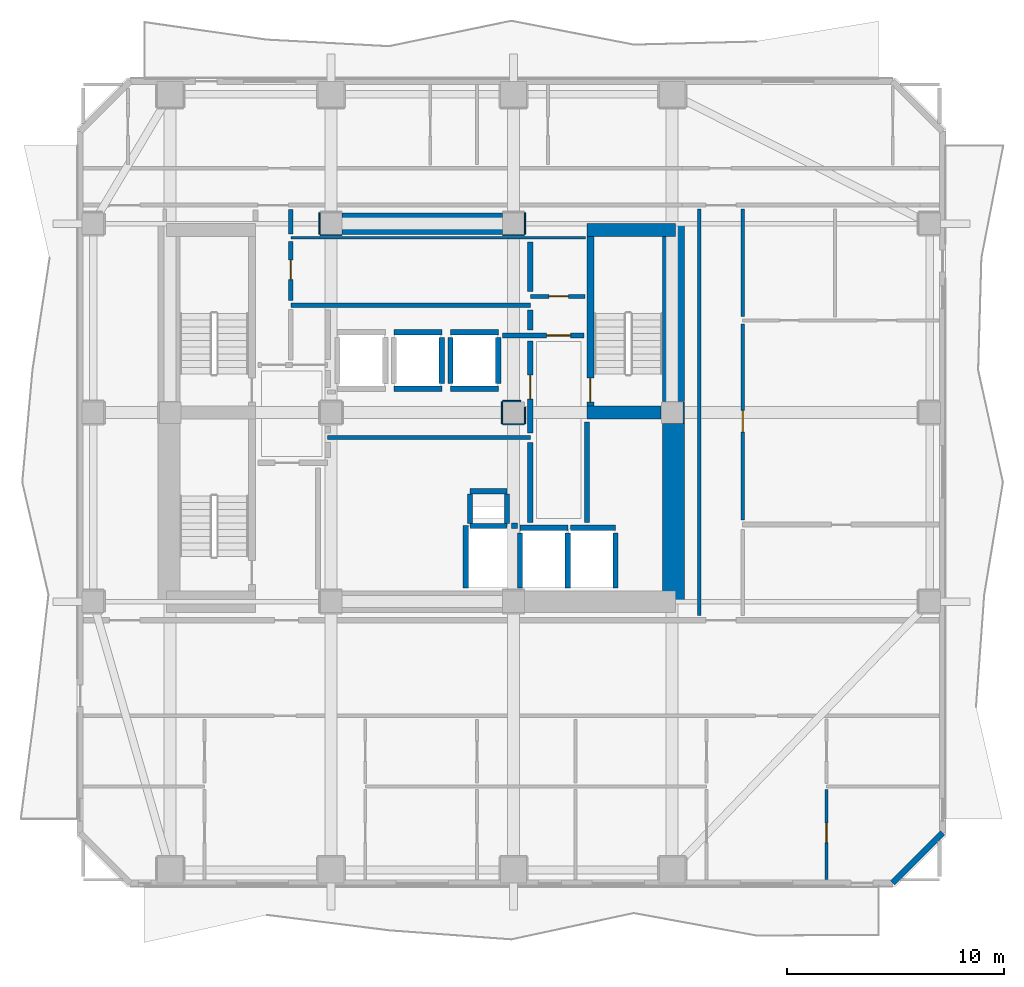
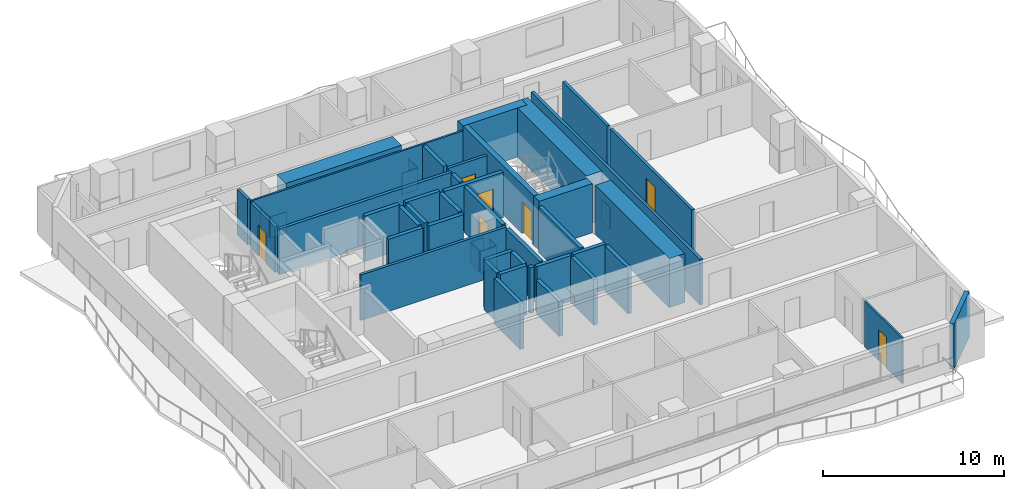
# One storey, part 4 of 9: 50 walls, 7 doors, 7 openings.
"""IFC4 building model written with IfcOpenShell, lengths in metres."""

from ifc_helpers import new_model, si_unit, direction, frame, frame_2d, origin, place, context, subcontext, project, spatial, rectangle, extrude, material, layer, layer_set, type_object, element, fill, save


model = new_model("IFC4")

# Units and contexts
model_context = context("Model", 3, precision=1e-05, world=origin(), true_north=direction((0.0, 1.0)))
body_context = subcontext(model_context, "Body", "Model", "MODEL_VIEW")
ifc_project = project(units=[si_unit("LENGTHUNIT", "METRE"), si_unit("AREAUNIT", "SQUARE_METRE"), si_unit("VOLUMEUNIT", "CUBIC_METRE"), si_unit("PLANEANGLEUNIT", "RADIAN"), si_unit("MASSUNIT", "GRAM", prefix="KILO")], contexts=[model_context])

# Site, building, storey
site_placement = place(None, origin())
site = spatial("IfcSite", under=ifc_project, at=site_placement, CompositionType="ELEMENT")
building_placement = place(site_placement, origin())
building = spatial("IfcBuilding", under=site, at=building_placement, Name="Solanera Arch Residences", CompositionType="ELEMENT")
storey_placement = place(building_placement, frame((0.0, 0.0, 135.9599609375)))
storey = spatial("IfcBuildingStorey", under=building, at=storey_placement, Name="L39", CompositionType="ELEMENT", Elevation=135.9599609375)

# Walls
ifc_material_1 = material(Name="Fire-Rated Gypsum Stud Partition", Category="gypsum")
ifc_layer_1 = layer(ifc_material_1, 0.06005859375)
ifc_layer_set_1 = layer_set([ifc_layer_1], Name="Fire-Rated Gypsum Stud Partition")
wall_type_1 = type_object("IfcWallType", Name="Column Acoustic Furring Wall 60", PredefinedType="PARTITIONING", material=ifc_layer_set_1)
for number, where, z_axis, x_axis, name in (
    (1, (20.300048828125, 38.867919921875, 0.0), (0.0, 0.0, 1.0), (1.0, 0.0, 0.0), "L39 Column Furring 3S"),
    (2, (20.26806640625, 38.89990234375, 0.0), (0.0, 0.0, 1.0), (0.0, 1.0, 0.0), "L39 Column Furring 3W"),
    (3, (28.699951171875, 38.867919921875, 0.0), (0.0, 0.0, 1.0), (1.0, 0.0, 0.0), "L39 Column Furring 4S"),
    (4, (29.73193359375, 38.89990234375, 0.0), (0.0, 0.0, 1.0), (0.0, 1.0, 0.0), "L39 Column Furring 4E"),
):
    element("IfcWall", number, at=place(storey_placement, frame(where, z_axis=z_axis, x_axis=x_axis)), inside=storey, type_object=wall_type_1, Name=name, PredefinedType="PARTITIONING", context=body_context, shape_type="SweptSolid", body=[
        extrude(rectangle(XDim=1.0, YDim=0.06005859375, at=frame_2d((0.5, 0.0))), origin(), (0.0, 0.0, 1.0), 1.449951171875),
    ])
wall_1_placement = place(storey_placement, frame((37.031982421875, 30.2099609375, 0.0), z_axis=(0.0, 0.0, 1.0), x_axis=(0.0, 1.0, 0.0)))
element("IfcWall", 5, at=wall_1_placement, inside=storey, type_object=wall_type_1, Name="L39 Column Furring 6E", PredefinedType="PARTITIONING", context=body_context, shape_type="SweptSolid", body=[
    extrude(rectangle(XDim=0.97998046875, YDim=0.06005859375, at=frame_2d((0.489990234375, 0.0))), origin(), (0.0, 0.0, 1.0), 1.449951171875),
])
wall_2_placement = place(storey_placement, frame((28.699951171875, 30.16796875, 0.0), z_axis=(0.0, 0.0, 1.0), x_axis=(1.0, 0.0, 0.0)))
element("IfcWall", 6, at=wall_2_placement, inside=storey, type_object=wall_type_1, Name="L39 Column Furring 8S", PredefinedType="PARTITIONING", context=body_context, shape_type="SweptSolid", body=[
    extrude(rectangle(XDim=1.0, YDim=0.06005859375, at=frame_2d((0.5, 0.0))), origin(), (0.0, 0.0, 1.0), 1.449951171875),
])
wall_3_placement = place(storey_placement, frame((28.699951171875, 31.23193359375, 0.0), z_axis=(0.0, 0.0, 1.0), x_axis=(1.0, 0.0, 0.0)))
element("IfcWall", 7, at=wall_3_placement, inside=storey, type_object=wall_type_1, Name="L39 Column Furring 8N", PredefinedType="PARTITIONING", context=body_context, shape_type="SweptSolid", body=[
    extrude(rectangle(XDim=0.8349609375, YDim=0.06005859375, at=frame_2d((0.41748046875, 0.0))), origin(), (0.0, 0.0, 1.0), 1.449951171875),
])
wall_4_placement = place(storey_placement, frame((28.66796875, 30.199951171875, 0.0), z_axis=(0.0, 0.0, 1.0), x_axis=(0.0, 1.0, 0.0)))
element("IfcWall", 8, at=wall_4_placement, inside=storey, type_object=wall_type_1, Name="L39 Column Furring 8W", PredefinedType="PARTITIONING", context=body_context, shape_type="SweptSolid", body=[
    extrude(rectangle(XDim=1.0, YDim=0.06005859375, at=frame_2d((0.5, 0.0))), origin(), (0.0, 0.0, 1.0), 1.449951171875),
])
wall_5_placement = place(storey_placement, frame((29.73193359375, 30.199951171875, 0.0), z_axis=(0.0, 0.0, 1.0), x_axis=(0.0, 1.0, 0.0)))
element("IfcWall", 9, at=wall_5_placement, inside=storey, type_object=wall_type_1, Name="L39 Column Furring 8E", PredefinedType="PARTITIONING", context=body_context, shape_type="SweptSolid", body=[
    extrude(rectangle(XDim=0.7470703125, YDim=0.06005859375, at=frame_2d((0.37353515625, 0.0))), origin(), (0.0, 0.0, 1.0), 1.449951171875),
])
ifc_material_2 = material(Name="Concrete C55/67 (f'c = 60 MPa)", Category="concrete")
ifc_layer_2 = layer(ifc_material_2, 1.0)
ifc_layer_set_2 = layer_set([ifc_layer_2], Name="Concrete C55/67 (f'c = 60 MPa)")
wall_type_2 = type_object("IfcWallType", Name="Core Shear Wall CW-1000", PredefinedType="SHEAR", material=ifc_layer_set_2)
wall_6_placement = place(storey_placement, frame((36.56005859375, 22.0, 0.0), z_axis=(0.0, 0.0, 1.0), x_axis=(0.0, 1.0, 0.0)))
element("IfcWall", 10, at=wall_6_placement, inside=storey, type_object=wall_type_2, Name="L39 East Core South Shear Wall", PredefinedType="SHEAR", context=body_context, shape_type="SweptSolid", body=[
    extrude(rectangle(XDim=8.195068359375, YDim=1.0, at=frame_2d((4.09765625, 0.0))), origin(), (0.0, 0.0, 1.0), 3.320068359375),
])
wall_7_placement = place(storey_placement, frame((36.56005859375, 31.205078125, 0.0), z_axis=(0.0, 0.0, 1.0), x_axis=(0.0, 1.0, 0.0)))
element("IfcWall", 11, at=wall_7_placement, inside=storey, type_object=wall_type_2, Name="L39 East Core North Shear Wall", PredefinedType="SHEAR", context=body_context, shape_type="SweptSolid", body=[
    extrude(rectangle(XDim=8.19482421875, YDim=1.0, at=frame_2d((4.097412109375, 0.0))), origin(), (0.0, 0.0, 1.0), 3.320068359375),
])
wall_8_placement = place(storey_placement, frame((21.304931640625, 39.39990234375, 0.0), z_axis=(0.0, 0.0, 1.0), x_axis=(1.0, 0.0, 0.0)))
element("IfcWall", 12, at=wall_8_placement, inside=storey, type_object=wall_type_2, Name="L39 Central North Core Shear Wall", PredefinedType="SHEAR", context=body_context, shape_type="SweptSolid", body=[
    extrude(rectangle(XDim=7.39013671875, YDim=1.0, at=frame_2d((3.695068359375, 0.0))), origin(), (0.0, 0.0, 1.0), 3.320068359375),
])

# Wall, opening, door
ifc_material_3 = material(Name="Concrete C40/50 (f'c = 45 MPa)", Category="concrete")
ifc_layer_3 = layer(ifc_material_3, 0.320068359375)
ifc_layer_set_3 = layer_set([ifc_layer_3], Name="Concrete C40/50 (f'c = 45 MPa)")
wall_type_3 = type_object("IfcWallType", Name="Core Shear Wall CW-320", PredefinedType="SHEAR", material=ifc_layer_set_3)
wall_9_placement = place(storey_placement, frame((32.739990234375, 31.0, 0.0), z_axis=(0.0, 0.0, 1.0), x_axis=(0.0, 1.0, 0.0)))
wall_9 = element("IfcWall", 13, at=wall_9_placement, inside=storey, type_object=wall_type_3, Name="L39 Stair ST-T2 West Shear Wall", PredefinedType="SHEAR", context=body_context, shape_type="SweptSolid", body=[
    extrude(rectangle(XDim=7.800048828125, YDim=0.320068359375, at=frame_2d((3.89990234375, 0.0))), origin(), (0.0, 0.0, 1.0), 3.320068359375),
])
opening_1_placement = place(wall_9_placement, frame((0.18994140625, 0.0, 0.0)))
opening_1 = element("IfcOpeningElement", 14, at=opening_1_placement, cuts=wall_9, Name="Opening DF-01", PredefinedType="OPENING", context=body_context, shape_type="SweptSolid", body=[
    extrude(rectangle(XDim=1.10009765625, YDim=2.14990234375, at=frame_2d((0.550048828125, 1.074951171875))), frame((0.0, 0.169921875, 0.0), z_axis=(0.0, -1.0, 0.0), x_axis=(1.0, 0.0, 0.0)), (0.0, 0.0, 1.0), 0.3401),
])
ifc_material_4 = material(Name="Fire-Rated Architectural Hardwood", Category="wood")
door_type_1 = type_object("IfcDoorType", Name="Stair Exit Fire Door DF-01", OperationType="NOTDEFINED", PredefinedType="DOOR", material=ifc_material_4)
door_1_placement = place(opening_1_placement, origin())
door_1 = element("IfcDoor", 15, at=door_1_placement, inside=storey, type_object=door_type_1, Name="DR-L39-STAIR-ST-T2", OperationType="SINGLE_SWING_LEFT", OverallHeight=2.14990234375, OverallWidth=1.10009765625, PredefinedType="DOOR", context=body_context, shape_type="SweptSolid", body=[
    extrude(rectangle(XDim=1.10009765625, YDim=2.14990234375, at=frame_2d((0.550048828125, 1.074951171875))), frame((0.0, 0.02490234375, 0.0), z_axis=(0.0, -1.0, 0.0), x_axis=(1.0, 0.0, 0.0)), (0.0, 0.0, 1.0), 0.050048828125),
])
fill(opening_1, door_1)

# Walls
ifc_material_5 = material(Name="Concrete C40/50 (f'c = 45 MPa)", Category="concrete")
ifc_layer_4 = layer(ifc_material_5, 0.60009765625)
ifc_layer_set_4 = layer_set([ifc_layer_4], Name="Concrete C40/50 (f'c = 45 MPa)")
wall_type_4 = type_object("IfcWallType", Name="Core Shear Wall CW-600", PredefinedType="SHEAR", material=ifc_layer_set_4)
wall_10_placement = place(storey_placement, frame((32.580078125, 39.10009765625, 0.0), z_axis=(0.0, 0.0, 1.0), x_axis=(1.0, 0.0, 0.0)))
element("IfcWall", 16, at=wall_10_placement, inside=storey, type_object=wall_type_4, Name="L39 North-East Core Shear Wall", PredefinedType="SHEAR", context=body_context, shape_type="SweptSolid", body=[
    extrude(rectangle(XDim=4.079833984375, YDim=0.60009765625, at=frame_2d((2.0400390625, 0.0))), origin(), (0.0, 0.0, 1.0), 3.320068359375),
])
wall_11_placement = place(storey_placement, frame((32.580078125, 30.699951171875, 0.0), z_axis=(0.0, 0.0, 1.0), x_axis=(1.0, 0.0, 0.0)))
element("IfcWall", 17, at=wall_11_placement, inside=storey, type_object=wall_type_4, Name="L39 East Stair Far-Landing Shear Wall", PredefinedType="SHEAR", context=body_context, shape_type="SweptSolid", body=[
    extrude(rectangle(XDim=3.4150390625, YDim=0.60009765625, at=frame_2d((1.70751953125, 0.0))), origin(), (0.0, 0.0, 1.0), 3.320068359375),
])
ifc_material_6 = material(Name="Autoclaved Aerated Concrete Blockwork", Category="masonry")
ifc_layer_5 = layer(ifc_material_6, 0.179931640625)
ifc_layer_set_5 = layer_set([ifc_layer_5], Name="Autoclaved Aerated Concrete Blockwork")
wall_type_5 = type_object("IfcWallType", Name="Corridor Fire Partition 180", PredefinedType="PARTITIONING", material=ifc_layer_set_5)
wall_12_placement = place(storey_placement, frame((20.64990234375, 29.550048828125, 0.0), z_axis=(0.0, 0.0, 1.0), x_axis=(1.0, 0.0, 0.0)))
element("IfcWall", 18, at=wall_12_placement, inside=storey, type_object=wall_type_5, Name="L39 Interior Partition H9", PredefinedType="PARTITIONING", context=body_context, shape_type="SweptSolid", body=[
    extrude(rectangle(XDim=9.3251953125, YDim=0.179931640625, at=frame_2d((4.66259765625, 0.0))), origin(), (0.0, 0.0, 1.0), 3.080078125),
])

# Wall, opening, door
wall_13_placement = place(storey_placement, frame((29.97509765625, 36.050048828125, 0.0), z_axis=(0.0, 0.0, 1.0), x_axis=(1.0, 0.0, 0.0)))
wall_13 = element("IfcWall", 19, at=wall_13_placement, inside=storey, type_object=wall_type_5, Name="L39 Interior Partition H11", PredefinedType="PARTITIONING", context=body_context, shape_type="SweptSolid", body=[
    extrude(rectangle(XDim=2.5048828125, YDim=0.179931640625, at=frame_2d((1.25244140625, 0.0))), origin(), (0.0, 0.0, 1.0), 3.080078125),
])
opening_2_placement = place(wall_13_placement, frame((0.85205078125, 0.0, 0.0)))
opening_2 = element("IfcOpeningElement", 20, at=opening_2_placement, cuts=wall_13, Name="Opening DI-02", PredefinedType="OPENING", context=body_context, shape_type="SweptSolid", body=[
    extrude(rectangle(XDim=0.89990234375, YDim=2.10009765625, at=frame_2d((0.449951171875, 1.050048828125))), frame((0.0, 0.10009765625, 0.0), z_axis=(0.0, -1.0, 0.0), x_axis=(1.0, 0.0, 0.0)), (0.0, 0.0, 1.0), 0.1999),
])
ifc_material_7 = material(Name="Fire-Rated Architectural Hardwood", Category="wood")
door_type_2 = type_object("IfcDoorType", Name="Suite Room Swing Door DI-02", OperationType="NOTDEFINED", PredefinedType="DOOR", material=ifc_material_7)
door_2_placement = place(opening_2_placement, origin())
door_2 = element("IfcDoor", 21, at=door_2_placement, inside=storey, type_object=door_type_2, Name="DR-L39-IN-015", OperationType="SINGLE_SWING_RIGHT", OverallHeight=2.10009765625, OverallWidth=0.89990234375, PredefinedType="DOOR", context=body_context, shape_type="SweptSolid", body=[
    extrude(rectangle(XDim=0.89990234375, YDim=2.10009765625, at=frame_2d((0.449951171875, 1.050048828125))), frame((0.0, 0.02490234375, 0.0), z_axis=(0.0, -1.0, 0.0), x_axis=(1.0, 0.0, 0.0)), (0.0, 0.0, 1.0), 0.050048828125),
])
fill(opening_2, door_2)

# Wall
wall_14_placement = place(storey_placement, frame((37.75, 21.367919921875, 0.0), z_axis=(0.0, 0.0, 1.0), x_axis=(0.0, 1.0, 0.0)))
element("IfcWall", 22, at=wall_14_placement, inside=storey, type_object=wall_type_5, Name="L39 Interior Partition V10", PredefinedType="PARTITIONING", context=body_context, shape_type="SweptSolid", body=[
    extrude(rectangle(XDim=18.694091796875, YDim=0.179931640625, at=frame_2d((9.34716796875, 0.0))), origin(), (0.0, 0.0, 1.0), 3.080078125),
])

# Wall, opening, door
wall_15_placement = place(storey_placement, frame((39.75, 25.76806640625, 0.0), z_axis=(0.0, 0.0, 1.0), x_axis=(0.0, 1.0, 0.0)))
wall_15 = element("IfcWall", 23, at=wall_15_placement, inside=storey, type_object=wall_type_5, Name="L39 Interior Partition V11 2", PredefinedType="PARTITIONING", context=body_context, shape_type="SweptSolid", body=[
    extrude(rectangle(XDim=9.013916015625, YDim=0.179931640625, at=frame_2d((4.5068359375, 0.0))), origin(), (0.0, 0.0, 1.0), 3.080078125),
])
opening_3_placement = place(wall_15_placement, frame((4.041015625, 0.0, 0.0)))
opening_3 = element("IfcOpeningElement", 24, at=opening_3_placement, cuts=wall_15, Name="Opening DI-01", PredefinedType="OPENING", context=body_context, shape_type="SweptSolid", body=[
    extrude(rectangle(XDim=1.0, YDim=2.14990234375, at=frame_2d((0.5, 1.074951171875))), frame((0.0, 0.10009765625, 0.0), z_axis=(0.0, -1.0, 0.0), x_axis=(1.0, 0.0, 0.0)), (0.0, 0.0, 1.0), 0.1999),
])
ifc_material_8 = material(Name="Fire-Rated Architectural Hardwood", Category="wood")
door_type_3 = type_object("IfcDoorType", Name="Unit Entrance Fire Door DI-01", OperationType="NOTDEFINED", PredefinedType="DOOR", material=ifc_material_8)
door_3_placement = place(opening_3_placement, origin())
door_3 = element("IfcDoor", 25, at=door_3_placement, inside=storey, type_object=door_type_3, Name="DR-L39-IN-035", OperationType="SINGLE_SWING_RIGHT", OverallHeight=2.14990234375, OverallWidth=1.0, PredefinedType="DOOR", context=body_context, shape_type="SweptSolid", body=[
    extrude(rectangle(XDim=1.0, YDim=2.14990234375, at=frame_2d((0.5, 1.074951171875))), frame((0.0, 0.02490234375, 0.0), z_axis=(0.0, -1.0, 0.0), x_axis=(1.0, 0.0, 0.0)), (0.0, 0.0, 1.0), 0.050048828125),
])
fill(opening_3, door_3)

# Walls
wall_16_placement = place(storey_placement, frame((39.75, 35.117919921875, 0.0), z_axis=(0.0, 0.0, 1.0), x_axis=(0.0, 1.0, 0.0)))
element("IfcWall", 26, at=wall_16_placement, inside=storey, type_object=wall_type_5, Name="L39 Interior Partition V11 3", PredefinedType="PARTITIONING", context=body_context, shape_type="SweptSolid", body=[
    extrude(rectangle(XDim=4.944091796875, YDim=0.179931640625, at=frame_2d((2.47216796875, 0.0))), origin(), (0.0, 0.0, 1.0), 3.080078125),
])
ifc_material_9 = material(Name="Precast Concrete C35/45", Category="concrete")
ifc_layer_6 = layer(ifc_material_9, 0.280029296875)
ifc_layer_set_6 = layer_set([ifc_layer_6], Name="Precast Concrete C35/45")
wall_type_6 = type_object("IfcWallType", Name="Exterior Wall Precast Masonry-Frame 280", PredefinedType="STANDARD", material=ifc_layer_set_6)
wall_17_placement = place(storey_placement, frame((48.945068359375, 11.35498046875, 0.0), z_axis=(0.0, 0.0, 1.0), x_axis=(-0.707106781187, -0.707106781187, 0.0)))
element("IfcWall", 27, at=wall_17_placement, inside=storey, type_object=wall_type_6, Name="L39 Tower Exterior Precast Masonry-Frame Wall CH5", PredefinedType="STANDARD", context=body_context, shape_type="SweptSolid", body=[
    extrude(rectangle(XDim=3.252685546875, YDim=0.280029296875, at=frame_2d((1.62646484375, 0.0))), origin(), (0.0, 0.0, 1.0), 3.080078125),
])
ifc_material_10 = material(Name="Autoclaved Aerated Concrete Blockwork", Category="masonry")
ifc_layer_7 = layer(ifc_material_10, 0.199951171875)
ifc_layer_set_7 = layer_set([ifc_layer_7], Name="Autoclaved Aerated Concrete Blockwork")
wall_type_7 = type_object("IfcWallType", Name="Party Wall Acoustic 200", PredefinedType="PARTITIONING", material=ifc_layer_set_7)
wall_18_placement = place(storey_placement, frame((18.949951171875, 35.64990234375, 0.0), z_axis=(0.0, 0.0, 1.0), x_axis=(1.0, 0.0, 0.0)))
element("IfcWall", 28, at=wall_18_placement, inside=storey, type_object=wall_type_7, Name="L39 Interior Partition H7", PredefinedType="PARTITIONING", context=body_context, shape_type="SweptSolid", body=[
    extrude(rectangle(XDim=11.025146484375, YDim=0.199951171875, at=frame_2d((5.5126953125, 0.0))), origin(), (0.0, 0.0, 1.0), 3.080078125),
])

# Wall, opening, door
wall_19_placement = place(storey_placement, frame((18.949951171875, 35.85791015625, 0.0), z_axis=(0.0, 0.0, 1.0), x_axis=(0.0, 1.0, 0.0)))
wall_19 = element("IfcWall", 29, at=wall_19_placement, inside=storey, type_object=wall_type_7, Name="L39 Interior Partition V6 2", PredefinedType="PARTITIONING", context=body_context, shape_type="SweptSolid", body=[
    extrude(rectangle(XDim=2.72412109375, YDim=0.199951171875, at=frame_2d((1.362060546875, 0.0))), origin(), (0.0, 0.0, 1.0), 3.080078125),
])
opening_4_placement = place(wall_19_placement, frame((0.967041015625, 0.0, 0.0)))
opening_4 = element("IfcOpeningElement", 30, at=opening_4_placement, cuts=wall_19, Name="Opening DI-02", PredefinedType="OPENING", context=body_context, shape_type="SweptSolid", body=[
    extrude(rectangle(XDim=0.89990234375, YDim=2.10009765625, at=frame_2d((0.449951171875, 1.050048828125))), frame((0.0, 0.110107421875, 0.0), z_axis=(0.0, -1.0, 0.0), x_axis=(1.0, 0.0, 0.0)), (0.0, 0.0, 1.0), 0.22),
])
door_4_placement = place(opening_4_placement, origin())
door_4 = element("IfcDoor", 31, at=door_4_placement, inside=storey, type_object=door_type_2, Name="DR-L39-IN-016", OperationType="SINGLE_SWING_LEFT", OverallHeight=2.10009765625, OverallWidth=0.89990234375, PredefinedType="DOOR", context=body_context, shape_type="SweptSolid", body=[
    extrude(rectangle(XDim=0.89990234375, YDim=2.10009765625, at=frame_2d((0.449951171875, 1.050048828125))), frame((0.0, 0.02490234375, 0.0), z_axis=(0.0, -1.0, 0.0), x_axis=(1.0, 0.0, 0.0)), (0.0, 0.0, 1.0), 0.050048828125),
])
fill(opening_4, door_4)

# Walls
wall_20_placement = place(storey_placement, frame((18.949951171875, 38.91796875, 0.0), z_axis=(0.0, 0.0, 1.0), x_axis=(0.0, 1.0, 0.0)))
element("IfcWall", 32, at=wall_20_placement, inside=storey, type_object=wall_type_7, Name="L39 Interior Partition V6 3", PredefinedType="PARTITIONING", context=body_context, shape_type="SweptSolid", body=[
    extrude(rectangle(XDim=1.134033203125, YDim=0.199951171875, at=frame_2d((0.56689453125, 0.0))), origin(), (0.0, 0.0, 1.0), 3.080078125),
])
ifc_material_11 = material(Name="Concrete C40/50 (f'c = 45 MPa)", Category="concrete")
ifc_layer_8 = layer(ifc_material_11, 0.239990234375)
ifc_layer_set_8 = layer_set([ifc_layer_8], Name="Concrete C40/50 (f'c = 45 MPa)")
wall_type_8 = type_object("IfcWallType", Name="Ramp Bearing Shear Wall RW-240", PredefinedType="SHEAR", material=ifc_layer_set_8)
for number, where, z_axis, x_axis, name in (
    (33, (27.199951171875, 25.47998046875, 0.0), (0.0, 0.0, 1.0), (1.0, 0.0, 0.0), "L39 Core MEP Riser South Shaft Wall"),
    (34, (27.199951171875, 27.080078125, 0.0), (0.0, 0.0, 1.0), (1.0, 0.0, 0.0), "L39 Core MEP Riser North Shaft Wall"),
):
    element("IfcWall", number, at=place(storey_placement, frame(where, z_axis=z_axis, x_axis=x_axis)), inside=storey, type_object=wall_type_8, Name=name, PredefinedType="SHEAR", context=body_context, shape_type="SweptSolid", body=[
        extrude(rectangle(XDim=1.699951171875, YDim=0.239990234375, at=frame_2d((0.85009765625, 0.0))), origin(), (0.0, 0.0, 1.0), 3.320068359375),
    ])
for number, where, z_axis, x_axis, name in (
    (35, (27.199951171875, 25.60009765625, 0.0), (0.0, 0.0, 1.0), (0.0, 1.0, 0.0), "L39 Core MEP Riser West Shaft Wall"),
    (36, (28.89990234375, 25.60009765625, 0.0), (0.0, 0.0, 1.0), (0.0, 1.0, 0.0), "L39 Core MEP Riser East Shaft Wall"),
):
    element("IfcWall", number, at=place(storey_placement, frame(where, z_axis=z_axis, x_axis=x_axis)), inside=storey, type_object=wall_type_8, Name=name, PredefinedType="SHEAR", context=body_context, shape_type="SweptSolid", body=[
        extrude(rectangle(XDim=1.35986328125, YDim=0.239990234375, at=frame_2d((0.679931640625, 0.0))), origin(), (0.0, 0.0, 1.0), 3.320068359375),
    ])
ifc_material_12 = material(Name="Autoclaved Aerated Concrete Blockwork", Category="masonry")
ifc_layer_9 = layer(ifc_material_12, 0.239990234375)
ifc_layer_set_9 = layer_set([ifc_layer_9], Name="Autoclaved Aerated Concrete Blockwork")
wall_type_9 = type_object("IfcWallType", Name="Shaft Wall Fire-Rated 240", PredefinedType="PARTITIONING", material=ifc_layer_set_9)
for number, where, z_axis, x_axis, name in (
    (37, (23.699951171875, 31.800048828125, 0.0), (0.0, 0.0, 1.0), (1.0, 0.0, 0.0), "L39 Lift PL-M2 Hoistway Wall S"),
    (38, (23.699951171875, 34.39990234375, 0.0), (0.0, 0.0, 1.0), (1.0, 0.0, 0.0), "L39 Lift PL-M2 Hoistway Wall N"),
):
    element("IfcWall", number, at=place(storey_placement, frame(where, z_axis=z_axis, x_axis=x_axis)), inside=storey, type_object=wall_type_9, Name=name, PredefinedType="PARTITIONING", context=body_context, shape_type="SweptSolid", body=[
        extrude(rectangle(XDim=2.199951171875, YDim=0.239990234375, at=frame_2d((1.10009765625, 0.0))), origin(), (0.0, 0.0, 1.0), 3.080078125),
    ])
wall_21_placement = place(storey_placement, frame((25.89990234375, 32.048095703125, 0.0), z_axis=(0.0, 0.0, 1.0), x_axis=(0.0, 1.0, 0.0)))
element("IfcWall", 39, at=wall_21_placement, inside=storey, type_object=wall_type_9, Name="L39 Lift PL-M2 Hoistway Wall E", PredefinedType="PARTITIONING", context=body_context, shape_type="SweptSolid", body=[
    extrude(rectangle(XDim=2.10400390625, YDim=0.239990234375, at=frame_2d((1.052001953125, 0.0))), origin(), (0.0, 0.0, 1.0), 3.080078125),
])
for number, where, z_axis, x_axis, name in (
    (40, (26.300048828125, 31.800048828125, 0.0), (0.0, 0.0, 1.0), (1.0, 0.0, 0.0), "L39 Lift PL-M3 Hoistway Wall S"),
    (41, (26.300048828125, 34.39990234375, 0.0), (0.0, 0.0, 1.0), (1.0, 0.0, 0.0), "L39 Lift PL-M3 Hoistway Wall N"),
):
    element("IfcWall", number, at=place(storey_placement, frame(where, z_axis=z_axis, x_axis=x_axis)), inside=storey, type_object=wall_type_9, Name=name, PredefinedType="PARTITIONING", context=body_context, shape_type="SweptSolid", body=[
        extrude(rectangle(XDim=2.199951171875, YDim=0.239990234375, at=frame_2d((1.10009765625, 0.0))), origin(), (0.0, 0.0, 1.0), 3.080078125),
    ])
for number, where, z_axis, x_axis, name in (
    (42, (26.300048828125, 32.048095703125, 0.0), (0.0, 0.0, 1.0), (0.0, 1.0, 0.0), "L39 Lift PL-M3 Hoistway Wall W"),
    (43, (28.5, 32.048095703125, 0.0), (0.0, 0.0, 1.0), (0.0, 1.0, 0.0), "L39 Lift PL-M3 Hoistway Wall E"),
):
    element("IfcWall", number, at=place(storey_placement, frame(where, z_axis=z_axis, x_axis=x_axis)), inside=storey, type_object=wall_type_9, Name=name, PredefinedType="PARTITIONING", context=body_context, shape_type="SweptSolid", body=[
        extrude(rectangle(XDim=2.10400390625, YDim=0.239990234375, at=frame_2d((1.052001953125, 0.0))), origin(), (0.0, 0.0, 1.0), 3.080078125),
    ])
wall_22_placement = place(storey_placement, frame((29.5, 25.39990234375, 0.0), z_axis=(0.0, 0.0, 1.0), x_axis=(1.0, 0.0, 0.0)))
element("IfcWall", 44, at=wall_22_placement, inside=storey, type_object=wall_type_9, Name="L39 Lift FFL-1 Hoistway Wall N", PredefinedType="PARTITIONING", context=body_context, shape_type="SweptSolid", body=[
    extrude(rectangle(XDim=2.199951171875, YDim=0.239990234375, at=frame_2d((1.10009765625, 0.0))), origin(), (0.0, 0.0, 1.0), 3.080078125),
])
wall_23_placement = place(storey_placement, frame((29.5, 22.632080078125, 0.0), z_axis=(0.0, 0.0, 1.0), x_axis=(0.0, 1.0, 0.0)))
element("IfcWall", 45, at=wall_23_placement, inside=storey, type_object=wall_type_9, Name="L39 Lift FFL-1 Hoistway Wall W", PredefinedType="PARTITIONING", context=body_context, shape_type="SweptSolid", body=[
    extrude(rectangle(XDim=2.52001953125, YDim=0.239990234375, at=frame_2d((1.260009765625, 0.0))), origin(), (0.0, 0.0, 1.0), 2.31494140625),
])
wall_24_placement = place(storey_placement, frame((31.699951171875, 22.6298828125, 0.0), z_axis=(0.0, 0.0, 1.0), x_axis=(0.0, 1.0, 0.0)))
element("IfcWall", 46, at=wall_24_placement, inside=storey, type_object=wall_type_9, Name="L39 Lift FFL-1 Hoistway Wall E", PredefinedType="PARTITIONING", context=body_context, shape_type="SweptSolid", body=[
    extrude(rectangle(XDim=2.522216796875, YDim=0.239990234375, at=frame_2d((1.26123046875, 0.0))), origin(), (0.0, 0.0, 1.0), 3.080078125),
])
wall_25_placement = place(storey_placement, frame((31.827880859375, 25.39990234375, 0.0), z_axis=(0.0, 0.0, 1.0), x_axis=(1.0, 0.0, 0.0)))
element("IfcWall", 47, at=wall_25_placement, inside=storey, type_object=wall_type_9, Name="L39 Lift FFL-2 Hoistway Wall N", PredefinedType="PARTITIONING", context=body_context, shape_type="SweptSolid", body=[
    extrude(rectangle(XDim=2.072021484375, YDim=0.239990234375, at=frame_2d((1.0361328125, 0.0))), origin(), (0.0, 0.0, 1.0), 3.080078125),
])
wall_26_placement = place(storey_placement, frame((33.89990234375, 22.6298828125, 0.0), z_axis=(0.0, 0.0, 1.0), x_axis=(0.0, 1.0, 0.0)))
element("IfcWall", 48, at=wall_26_placement, inside=storey, type_object=wall_type_9, Name="L39 Lift FFL-2 Hoistway Wall E", PredefinedType="PARTITIONING", context=body_context, shape_type="SweptSolid", body=[
    extrude(rectangle(XDim=2.522216796875, YDim=0.239990234375, at=frame_2d((1.26123046875, 0.0))), origin(), (0.0, 0.0, 1.0), 3.080078125),
])
wall_27_placement = place(storey_placement, frame((29.10302734375, 25.5, 0.0), z_axis=(0.0, 0.0, 1.0), x_axis=(1.0, 0.0, 0.0)))
element("IfcWall", 49, at=wall_27_placement, inside=storey, type_object=wall_type_9, Name="L39 Lift SVL-1 Hoistway Wall N", PredefinedType="PARTITIONING", context=body_context, shape_type="SweptSolid", body=[
    extrude(rectangle(XDim=0.26904296875, YDim=0.239990234375, at=frame_2d((0.134521484375, 0.0))), origin(), (0.0, 0.0, 1.0), 3.080078125),
])
wall_28_placement = place(storey_placement, frame((27.0, 22.6298828125, 0.0), z_axis=(0.0, 0.0, 1.0), x_axis=(0.0, 1.0, 0.0)))
element("IfcWall", 50, at=wall_28_placement, inside=storey, type_object=wall_type_9, Name="L39 Lift SVL-1 Hoistway Wall W", PredefinedType="PARTITIONING", context=body_context, shape_type="SweptSolid", body=[
    extrude(rectangle(XDim=2.8681640625, YDim=0.239990234375, at=frame_2d((1.43408203125, 0.0))), origin(), (0.0, 0.0, 1.0), 3.080078125),
])

# Wall, opening, door
wall_29_placement = place(storey_placement, frame((28.701904296875, 34.25, 0.0), z_axis=(0.0, 0.0, 1.0), x_axis=(1.0, 0.0, 0.0)))
wall_29 = element("IfcWall", 51, at=wall_29_placement, inside=storey, type_object=wall_type_9, Name="L39 Interior Partition H6", PredefinedType="PARTITIONING", context=body_context, shape_type="SweptSolid", body=[
    extrude(rectangle(XDim=3.748046875, YDim=0.239990234375, at=frame_2d((1.8740234375, 0.0))), origin(), (0.0, 0.0, 1.0), 3.080078125),
])
opening_5_placement = place(wall_29_placement, frame((2.02490234375, 0.0, 0.0)))
opening_5 = element("IfcOpeningElement", 52, at=opening_5_placement, cuts=wall_29, Name="Opening DF-02", PredefinedType="OPENING", context=body_context, shape_type="SweptSolid", body=[
    extrude(rectangle(XDim=1.10009765625, YDim=2.14990234375, at=frame_2d((0.550048828125, 1.074951171875))), frame((0.0, 0.1298828125, 0.0), z_axis=(0.0, -1.0, 0.0), x_axis=(1.0, 0.0, 0.0)), (0.0, 0.0, 1.0), 0.26),
])
ifc_material_13 = material(Name="Fire-Rated Architectural Hardwood", Category="wood")
door_type_4 = type_object("IfcDoorType", Name="Firefighting Lobby Fire Door DF-02", OperationType="NOTDEFINED", PredefinedType="DOOR", material=ifc_material_13)
door_5_placement = place(opening_5_placement, origin())
door_5 = element("IfcDoor", 53, at=door_5_placement, inside=storey, type_object=door_type_4, Name="DR-L39-IN-007", OperationType="SINGLE_SWING_RIGHT", OverallHeight=2.14990234375, OverallWidth=1.10009765625, PredefinedType="DOOR", context=body_context, shape_type="SweptSolid", body=[
    extrude(rectangle(XDim=1.10009765625, YDim=2.14990234375, at=frame_2d((0.550048828125, 1.074951171875))), frame((0.0, 0.02490234375, 0.0), z_axis=(0.0, -1.0, 0.0), x_axis=(1.0, 0.0, 0.0)), (0.0, 0.0, 1.0), 0.050048828125),
])
fill(opening_5, door_5)

# Wall
wall_30_placement = place(storey_placement, frame((29.97509765625, 25.64794921875, 0.0), z_axis=(0.0, 0.0, 1.0), x_axis=(0.0, 1.0, 0.0)))
element("IfcWall", 54, at=wall_30_placement, inside=storey, type_object=wall_type_9, Name="L39 Interior Partition V4 1", PredefinedType="PARTITIONING", context=body_context, shape_type="SweptSolid", body=[
    extrude(rectangle(XDim=3.68408203125, YDim=0.239990234375, at=frame_2d((1.842041015625, 0.0))), origin(), (0.0, 0.0, 1.0), 3.080078125),
])

# Wall, opening, door
wall_31_placement = place(storey_placement, frame((29.97509765625, 29.76806640625, 0.0), z_axis=(0.0, 0.0, 1.0), x_axis=(0.0, 1.0, 0.0)))
wall_31 = element("IfcWall", 55, at=wall_31_placement, inside=storey, type_object=wall_type_9, Name="L39 Interior Partition V4 2", PredefinedType="PARTITIONING", context=body_context, shape_type="SweptSolid", body=[
    extrude(rectangle(XDim=4.23388671875, YDim=0.239990234375, at=frame_2d((2.116943359375, 0.0))), origin(), (0.0, 0.0, 1.0), 3.080078125),
])
opening_6_placement = place(wall_31_placement, frame((1.556884765625, 0.0, 0.0)))
opening_6 = element("IfcOpeningElement", 56, at=opening_6_placement, cuts=wall_31, Name="Opening DF-02", PredefinedType="OPENING", context=body_context, shape_type="SweptSolid", body=[
    extrude(rectangle(XDim=1.10009765625, YDim=2.14990234375, at=frame_2d((0.550048828125, 1.074951171875))), frame((0.0, 0.1298828125, 0.0), z_axis=(0.0, -1.0, 0.0), x_axis=(1.0, 0.0, 0.0)), (0.0, 0.0, 1.0), 0.26),
])
door_6_placement = place(opening_6_placement, origin())
door_6 = element("IfcDoor", 57, at=door_6_placement, inside=storey, type_object=door_type_4, Name="DR-L39-IN-006", OperationType="SINGLE_SWING_LEFT", OverallHeight=2.14990234375, OverallWidth=1.10009765625, PredefinedType="DOOR", context=body_context, shape_type="SweptSolid", body=[
    extrude(rectangle(XDim=1.10009765625, YDim=2.14990234375, at=frame_2d((0.550048828125, 1.074951171875))), frame((0.0, 0.02490234375, 0.0), z_axis=(0.0, -1.0, 0.0), x_axis=(1.0, 0.0, 0.0)), (0.0, 0.0, 1.0), 0.050048828125),
])
fill(opening_6, door_6)

# Walls
wall_32_placement = place(storey_placement, frame((29.97509765625, 34.498046875, 0.0), z_axis=(0.0, 0.0, 1.0), x_axis=(0.0, 1.0, 0.0)))
element("IfcWall", 58, at=wall_32_placement, inside=storey, type_object=wall_type_9, Name="L39 Interior Partition V4 3", PredefinedType="PARTITIONING", context=body_context, shape_type="SweptSolid", body=[
    extrude(rectangle(XDim=0.924072265625, YDim=0.239990234375, at=frame_2d((0.4619140625, 0.0))), origin(), (0.0, 0.0, 1.0), 3.080078125),
])
wall_33_placement = place(storey_placement, frame((29.97509765625, 36.26806640625, 0.0), z_axis=(0.0, 0.0, 1.0), x_axis=(0.0, 1.0, 0.0)))
element("IfcWall", 59, at=wall_33_placement, inside=storey, type_object=wall_type_9, Name="L39 Interior Partition V4 4", PredefinedType="PARTITIONING", context=body_context, shape_type="SweptSolid", body=[
    extrude(rectangle(XDim=2.2939453125, YDim=0.239990234375, at=frame_2d((1.14697265625, 0.0))), origin(), (0.0, 0.0, 1.0), 3.080078125),
])
wall_34_placement = place(storey_placement, frame((32.580078125, 25.64794921875, 0.0), z_axis=(0.0, 0.0, 1.0), x_axis=(0.0, 1.0, 0.0)))
element("IfcWall", 60, at=wall_34_placement, inside=storey, type_object=wall_type_9, Name="L39 Interior Partition V5", PredefinedType="PARTITIONING", context=body_context, shape_type="SweptSolid", body=[
    extrude(rectangle(XDim=4.6220703125, YDim=0.239990234375, at=frame_2d((2.31103515625, 0.0))), origin(), (0.0, 0.0, 1.0), 3.080078125),
])
ifc_material_14 = material(Name="Fire-Rated Gypsum Stud Partition", Category="gypsum")
ifc_layer_10 = layer(ifc_material_14, 0.1201171875)
ifc_layer_set_10 = layer_set([ifc_layer_10], Name="Fire-Rated Gypsum Stud Partition")
wall_type_10 = type_object("IfcWallType", Name="Unit Drywall Partition 120", PredefinedType="PARTITIONING", material=ifc_layer_set_10)
wall_35_placement = place(storey_placement, frame((18.949951171875, 38.75, 0.0), z_axis=(0.0, 0.0, 1.0), x_axis=(1.0, 0.0, 0.0)))
element("IfcWall", 61, at=wall_35_placement, inside=storey, type_object=wall_type_10, Name="L39 Interior Partition H20", PredefinedType="PARTITIONING", context=body_context, shape_type="SweptSolid", body=[
    extrude(rectangle(XDim=13.56005859375, YDim=0.1201171875, at=frame_2d((6.780029296875, 0.0))), origin(), (0.0, 0.0, 1.0), 3.080078125),
])

# Wall, opening, door
wall_36_placement = place(storey_placement, frame((43.60595703125, 9.20703125, 0.0), z_axis=(0.0, 0.0, 1.0), x_axis=(0.0, 1.0, 0.0)))
wall_36 = element("IfcWall", 62, at=wall_36_placement, inside=storey, type_object=wall_type_10, Name="L39 Interior Partition V23 1", PredefinedType="PARTITIONING", context=body_context, shape_type="SweptSolid", body=[
    extrude(rectangle(XDim=4.158935546875, YDim=0.1201171875, at=frame_2d((2.07958984375, 0.0))), origin(), (0.0, 0.0, 1.0), 3.080078125),
])
opening_7_placement = place(wall_36_placement, frame((1.7080078125, 0.0, 0.0)))
opening_7 = element("IfcOpeningElement", 63, at=opening_7_placement, cuts=wall_36, Name="Opening DI-03", PredefinedType="OPENING", context=body_context, shape_type="SweptSolid", body=[
    extrude(rectangle(XDim=0.89990234375, YDim=2.10009765625, at=frame_2d((0.449951171875, 1.050048828125))), frame((0.0, 0.070068359375, 0.0), z_axis=(0.0, -1.0, 0.0), x_axis=(1.0, 0.0, 0.0)), (0.0, 0.0, 1.0), 0.1401),
])
ifc_material_15 = material(Name="Fire-Rated Architectural Hardwood", Category="wood")
door_type_5 = type_object("IfcDoorType", Name="Bedroom Swing Door DI-03", OperationType="NOTDEFINED", PredefinedType="DOOR", material=ifc_material_15)
door_7_placement = place(opening_7_placement, origin())
door_7 = element("IfcDoor", 64, at=door_7_placement, inside=storey, type_object=door_type_5, Name="DR-L39-IN-028", OperationType="SINGLE_SWING_LEFT", OverallHeight=2.10009765625, OverallWidth=0.89990234375, PredefinedType="DOOR", context=body_context, shape_type="SweptSolid", body=[
    extrude(rectangle(XDim=0.89990234375, YDim=2.10009765625, at=frame_2d((0.449951171875, 1.050048828125))), frame((0.0, 0.02490234375, 0.0), z_axis=(0.0, -1.0, 0.0), x_axis=(1.0, 0.0, 0.0)), (0.0, 0.0, 1.0), 0.050048828125),
])
fill(opening_7, door_7)

save(model, "model.ifc")
